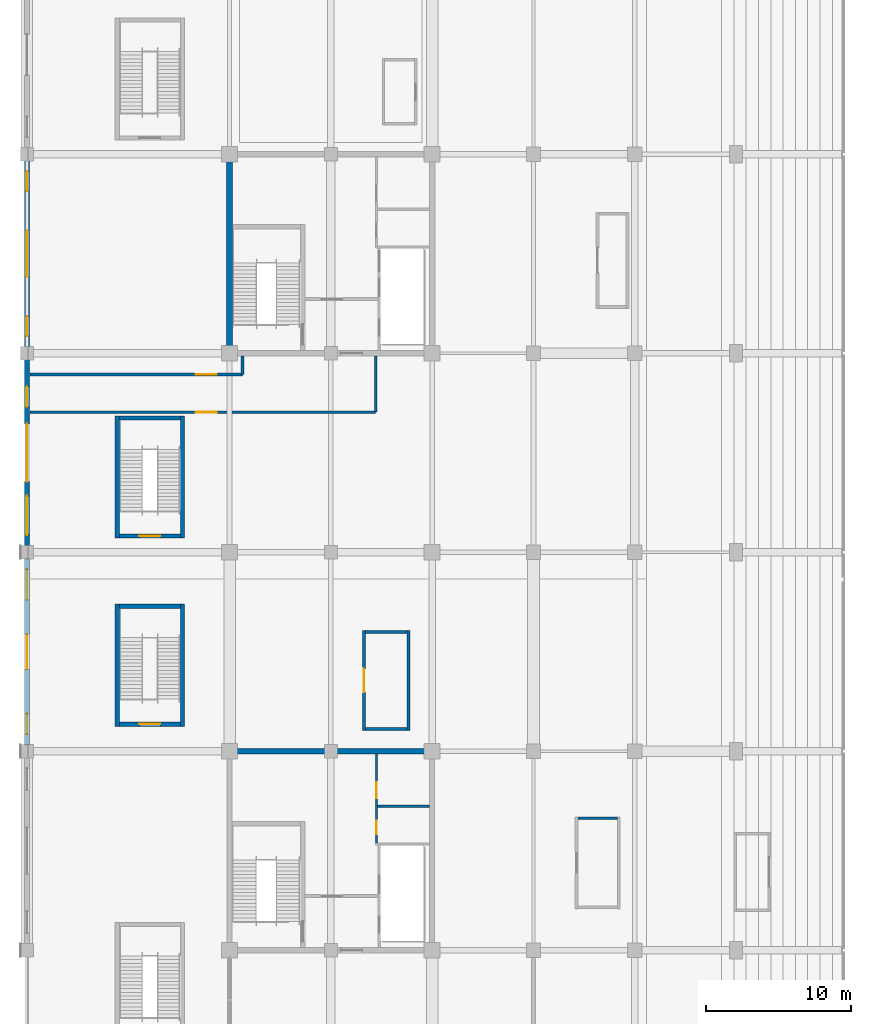
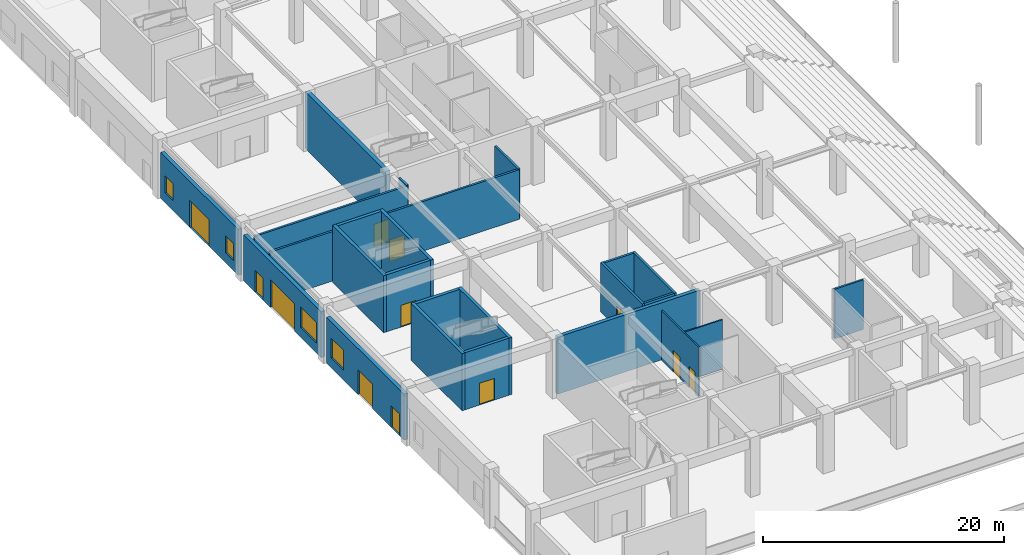
# One storey, part 41 of 73: 24 walls, 12 doors, 4 windows, 16 openings.
"""IFC4 building model written with IfcOpenShell, lengths in metres."""

from ifc_helpers import new_model, si_unit, direction, frame, frame_2d, origin, place, context, subcontext, project, spatial, rectangle, extrude, material, layer, layer_set, type_object, element, fill, save


model = new_model("IFC4")

# Units and contexts
model_context = context("Model", 3, precision=1e-05, world=origin(), true_north=direction((0.0, 1.0)))
body_context = subcontext(model_context, "Body", "Model", "MODEL_VIEW")
ifc_project = project(units=[si_unit("LENGTHUNIT", "METRE"), si_unit("AREAUNIT", "SQUARE_METRE"), si_unit("VOLUMEUNIT", "CUBIC_METRE"), si_unit("PLANEANGLEUNIT", "RADIAN"), si_unit("MASSUNIT", "GRAM", prefix="KILO")], contexts=[model_context])

# Site, building, storey
site_placement = place(None, origin())
site = spatial("IfcSite", under=ifc_project, at=site_placement, CompositionType="ELEMENT")
building_placement = place(site_placement, origin())
building = spatial("IfcBuilding", under=site, at=building_placement, Name="Linyun Crest Stadium", CompositionType="ELEMENT")
storey_placement = place(building_placement, origin())
storey = spatial("IfcBuildingStorey", under=building, at=storey_placement, Name="L01", CompositionType="ELEMENT", Elevation=0.0)

# Walls
ifc_material_1 = material(Name="Concrete C50", Category="concrete")
ifc_layer_1 = layer(ifc_material_1, 0.35009765625)
ifc_layer_set_1 = layer_set([ifc_layer_1], Name="Concrete C50")
wall_type_1 = type_object("IfcWallType", Name="CW01", PredefinedType="SHEAR", material=ifc_layer_set_1)
wall_1_placement = place(storey_placement, frame((-83.824951171875, -25.375, 0.0), z_axis=(0.0, 0.0, 1.0), x_axis=(1.0, 0.0, 0.0)))
element("IfcWall", 1, at=wall_1_placement, inside=storey, type_object=wall_type_1, Name="Core shear wall CW01 CORE-W1 L01.4", PredefinedType="SHEAR", context=body_context, shape_type="SweptSolid", body=[
    extrude(rectangle(XDim=13.64990234375, YDim=0.35009765625, at=frame_2d((6.824951171875, 0.0))), origin(), (0.0, 0.0, 1.0), 5.780029296875),
])
ifc_material_2 = material(Name="Concrete C50", Category="concrete")
ifc_layer_2 = layer(ifc_material_2, 0.39990234375)
ifc_layer_set_2 = layer_set([ifc_layer_2], Name="Concrete C50")
wall_type_2 = type_object("IfcWallType", Name="CW02", PredefinedType="SHEAR", material=ifc_layer_set_2)
wall_2_placement = place(storey_placement, frame((-84.0, 2.324951171875, 0.0), z_axis=(0.0, 0.0, 1.0), x_axis=(0.0, 1.0, 0.0)))
element("IfcWall", 2, at=wall_2_placement, inside=storey, type_object=wall_type_2, Name="Core shear wall CW02 CORE-W2 L01.1", PredefinedType="SHEAR", context=body_context, shape_type="SweptSolid", body=[
    extrude(rectangle(XDim=13.35009765625, YDim=0.39990234375, at=frame_2d((6.675048828125, 0.0))), origin(), (0.0, 0.0, 1.0), 5.780029296875),
])

# Wall, openings, doors, window
ifc_material_3 = material(Name="Precast concrete C40 architectural plinth panel", Category="concrete")
ifc_layer_3 = layer(ifc_material_3, 0.360107421875)
ifc_layer_set_3 = layer_set([ifc_layer_3], Name="Precast concrete C40 architectural plinth panel")
wall_type_3 = type_object("IfcWallType", Name="EW06", PredefinedType="SOLIDWALL", material=ifc_layer_set_3)
wall_3_placement = place(storey_placement, frame((-98.0, -24.93505859375, 0.0), z_axis=(0.0, 0.0, 1.0), x_axis=(0.0, 1.0, 0.0)))
wall_3 = element("IfcWall", 3, at=wall_3_placement, inside=storey, type_object=wall_type_3, Name="Exterior wall EW06 L01 6", PredefinedType="SOLIDWALL", context=body_context, shape_type="SweptSolid", body=[
    extrude(rectangle(XDim=12.8701171875, YDim=0.360107421875, at=frame_2d((6.43505859375, 0.0))), origin(), (0.0, 0.0, 1.0), 4.655029296875),
])
opening_1_placement = place(wall_3_placement, frame((5.235107421875, 0.0, 0.0)))
opening_1 = element("IfcOpeningElement", 4, at=opening_1_placement, cuts=wall_3, Name="Opening G01", PredefinedType="OPENING", context=body_context, shape_type="SweptSolid", body=[
    extrude(rectangle(XDim=2.39990234375, YDim=2.5, at=frame_2d((1.199951171875, 1.25))), frame((0.0, 0.18994140625, 0.0), z_axis=(0.0, -1.0, 0.0), x_axis=(1.0, 0.0, 0.0)), (0.0, 0.0, 1.0), 0.380126953125),
])
opening_2_placement = place(wall_3_placement, frame((0.75, 0.0, 0.0)))
opening_2 = element("IfcOpeningElement", 5, at=opening_2_placement, cuts=wall_3, Name="Opening E-ST14", PredefinedType="OPENING", context=body_context, shape_type="SweptSolid", body=[
    extrude(rectangle(XDim=1.39990234375, YDim=2.199951171875, at=frame_2d((0.699951171875, 1.10009765625))), frame((0.0, 0.18994140625, 0.0), z_axis=(0.0, -1.0, 0.0), x_axis=(1.0, 0.0, 0.0)), (0.0, 0.0, 1.0), 0.380126953125),
])
opening_3_placement = place(wall_3_placement, frame((10.02001953125, 0.0, 1.0)))
opening_3 = element("IfcOpeningElement", 6, at=opening_3_placement, cuts=wall_3, Name="Opening WN03", PredefinedType="OPENING", context=body_context, shape_type="SweptSolid", body=[
    extrude(rectangle(XDim=2.10009765625, YDim=2.0, at=frame_2d((1.050048828125, 1.0))), frame((0.0, 0.18994140625, 0.0), z_axis=(0.0, -1.0, 0.0), x_axis=(1.0, 0.0, 0.0)), (0.0, 0.0, 1.0), 0.380126953125),
])
ifc_material_4 = material(Name="Galvanized fire-rated steel leaf", Category="steel")
ifc_layer_4 = layer(ifc_material_4, 0.054931640625)
ifc_layer_set_4 = layer_set([ifc_layer_4], Name="Galvanized fire-rated steel leaf")
door_type_1 = type_object("IfcDoorType", Name="FD09", OperationType="NOTDEFINED", PredefinedType="DOOR", material=ifc_layer_set_4)
door_1_placement = place(opening_2_placement, origin())
door_1 = element("IfcDoor", 7, at=door_1_placement, inside=storey, type_object=door_type_1, Name="Stair discharge exit E-ST14", OperationType="SINGLE_SWING_RIGHT", OverallHeight=2.199951171875, OverallWidth=1.39990234375, PredefinedType="DOOR", context=body_context, shape_type="SweptSolid", body=[
    extrude(rectangle(XDim=1.39990234375, YDim=2.199951171875, at=frame_2d((0.699951171875, 1.10009765625))), frame((0.0, 0.02490234375, 0.0), z_axis=(0.0, -1.0, 0.0), x_axis=(1.0, 0.0, 0.0)), (0.0, 0.0, 1.0), 0.050048828125),
])
fill(opening_2, door_1)
ifc_material_5 = material(Name="Verdigris painted steel botanical gate", Category="steel")
ifc_layer_5 = layer(ifc_material_5, 0.054931640625)
ifc_layer_set_5 = layer_set([ifc_layer_5], Name="Verdigris painted steel botanical gate")
door_type_2 = type_object("IfcDoorType", Name="GD01", OperationType="NOTDEFINED", PredefinedType="DOOR", material=ifc_layer_set_5)
door_2_placement = place(opening_1_placement, origin())
door_2 = element("IfcDoor", 8, at=door_2_placement, inside=storey, type_object=door_type_2, Name="Pedestrian exit gate G01", OperationType="DOUBLE_DOOR_SINGLE_SWING", OverallHeight=2.5, OverallWidth=2.39990234375, PredefinedType="DOOR", context=body_context, shape_type="SweptSolid", body=[
    extrude(rectangle(XDim=2.39990234375, YDim=2.5, at=frame_2d((1.199951171875, 1.25))), frame((0.0, 0.02490234375, 0.0), z_axis=(0.0, -1.0, 0.0), x_axis=(1.0, 0.0, 0.0)), (0.0, 0.0, 1.0), 0.050048828125),
])
fill(opening_1, door_2)
ifc_material_6 = material(Name="Aluminium frame with double low-E glazing", Category="aluminium")
ifc_layer_6 = layer(ifc_material_6, 0.06005859375)
ifc_layer_set_6 = layer_set([ifc_layer_6], Name="Aluminium frame with double low-E glazing")
window_type_1 = type_object("IfcWindowType", Name="WN03", PartitioningType="SINGLE_PANEL", PredefinedType="WINDOW", material=ifc_layer_set_6)
window_1_placement = place(opening_3_placement, origin())
window_1 = element("IfcWindow", 9, at=window_1_placement, inside=storey, type_object=window_type_1, Name="Window WN03 L01 8", OverallHeight=2.0, OverallWidth=2.10009765625, PartitioningType="SINGLE_PANEL", PredefinedType="WINDOW", context=body_context, shape_type="SweptSolid", body=[
    extrude(rectangle(XDim=2.10009765625, YDim=2.0, at=frame_2d((1.050048828125, 1.0))), frame((0.0, 0.030029296875, 0.0), z_axis=(0.0, -1.0, 0.0), x_axis=(1.0, 0.0, 0.0)), (0.0, 0.0, 1.0), 0.06005859375),
])
fill(opening_3, window_1)

wall_4_placement = place(storey_placement, frame((-98.0, -11.18505859375, 0.0), z_axis=(0.0, 0.0, 1.0), x_axis=(0.0, 1.0, 0.0)))
wall_4 = element("IfcWall", 10, at=wall_4_placement, inside=storey, type_object=wall_type_3, Name="Exterior wall EW06 L01 10", PredefinedType="SOLIDWALL", context=body_context, shape_type="SweptSolid", body=[
    extrude(rectangle(XDim=12.8701171875, YDim=0.360107421875, at=frame_2d((6.43505859375, 0.0))), origin(), (0.0, 0.0, 1.0), 4.655029296875),
])
opening_4_placement = place(wall_4_placement, frame((4.43505859375, 0.0, 0.0)))
opening_4 = element("IfcOpeningElement", 11, at=opening_4_placement, cuts=wall_4, Name="Opening E03", PredefinedType="OPENING", context=body_context, shape_type="SweptSolid", body=[
    extrude(rectangle(XDim=4.0, YDim=2.800048828125, at=frame_2d((2.0, 1.39990234375))), frame((0.0, 0.18994140625, 0.0), z_axis=(0.0, -1.0, 0.0), x_axis=(1.0, 0.0, 0.0)), (0.0, 0.0, 1.0), 0.380126953125),
])
opening_5_placement = place(wall_4_placement, frame((0.75, 0.0, 1.0)))
opening_5 = element("IfcOpeningElement", 12, at=opening_5_placement, cuts=wall_4, Name="Opening WN05", PredefinedType="OPENING", context=body_context, shape_type="SweptSolid", body=[
    extrude(rectangle(XDim=2.699951171875, YDim=2.10009765625, at=frame_2d((1.35009765625, 1.050048828125))), frame((0.0, 0.18994140625, 0.0), z_axis=(0.0, -1.0, 0.0), x_axis=(1.0, 0.0, 0.0)), (0.0, 0.0, 1.0), 0.380126953125),
])
opening_6_placement = place(wall_4_placement, frame((9.60009765625, 0.0, 0.0)))
opening_6 = element("IfcOpeningElement", 13, at=opening_6_placement, cuts=wall_4, Name="Opening E-ST02", PredefinedType="OPENING", context=body_context, shape_type="SweptSolid", body=[
    extrude(rectangle(XDim=1.39990234375, YDim=2.199951171875, at=frame_2d((0.699951171875, 1.10009765625))), frame((0.0, 0.18994140625, 0.0), z_axis=(0.0, -1.0, 0.0), x_axis=(1.0, 0.0, 0.0)), (0.0, 0.0, 1.0), 0.380126953125),
])
ifc_material_7 = material(Name="Verdigris painted steel and laminated glass", Category="steel")
ifc_layer_7 = layer(ifc_material_7, 0.06494140625)
ifc_layer_set_7 = layer_set([ifc_layer_7], Name="Verdigris painted steel and laminated glass")
door_type_3 = type_object("IfcDoorType", Name="ED03", OperationType="NOTDEFINED", PredefinedType="DOOR", material=ifc_layer_set_7)
door_3_placement = place(opening_4_placement, origin())
door_3 = element("IfcDoor", 14, at=door_3_placement, inside=storey, type_object=door_type_3, Name="Main entrance E03", OperationType="DOUBLE_DOOR_SINGLE_SWING", OverallHeight=2.800048828125, OverallWidth=4.0, PredefinedType="DOOR", context=body_context, shape_type="SweptSolid", body=[
    extrude(rectangle(XDim=4.0, YDim=2.800048828125, at=frame_2d((2.0, 1.39990234375))), frame((0.0, 0.02490234375, 0.0), z_axis=(0.0, -1.0, 0.0), x_axis=(1.0, 0.0, 0.0)), (0.0, 0.0, 1.0), 0.050048828125),
])
fill(opening_4, door_3)
door_4_placement = place(opening_6_placement, origin())
door_4 = element("IfcDoor", 15, at=door_4_placement, inside=storey, type_object=door_type_1, Name="Stair discharge exit E-ST02", OperationType="SINGLE_SWING_LEFT", OverallHeight=2.199951171875, OverallWidth=1.39990234375, PredefinedType="DOOR", context=body_context, shape_type="SweptSolid", body=[
    extrude(rectangle(XDim=1.39990234375, YDim=2.199951171875, at=frame_2d((0.699951171875, 1.10009765625))), frame((0.0, 0.02490234375, 0.0), z_axis=(0.0, -1.0, 0.0), x_axis=(1.0, 0.0, 0.0)), (0.0, 0.0, 1.0), 0.050048828125),
])
fill(opening_6, door_4)
ifc_material_8 = material(Name="Verdigris steel Art Nouveau arched window", Category="steel")
ifc_layer_8 = layer(ifc_material_8, 0.06494140625)
ifc_layer_set_8 = layer_set([ifc_layer_8], Name="Verdigris steel Art Nouveau arched window")
window_type_2 = type_object("IfcWindowType", Name="WN05", PartitioningType="SINGLE_PANEL", PredefinedType="WINDOW", material=ifc_layer_set_8)
window_2_placement = place(opening_5_placement, origin())
window_2 = element("IfcWindow", 16, at=window_2_placement, inside=storey, type_object=window_type_2, Name="Window WN05 L01 12", OverallHeight=2.10009765625, OverallWidth=2.699951171875, PartitioningType="SINGLE_PANEL", PredefinedType="WINDOW", context=body_context, shape_type="SweptSolid", body=[
    extrude(rectangle(XDim=2.699951171875, YDim=2.10009765625, at=frame_2d((1.35009765625, 1.050048828125))), frame((0.0, 0.030029296875, 0.0), z_axis=(0.0, -1.0, 0.0), x_axis=(1.0, 0.0, 0.0)), (0.0, 0.0, 1.0), 0.06005859375),
])
fill(opening_5, window_2)

# Wall, openings, door, windows
wall_5_placement = place(storey_placement, frame((-98.0, 2.56494140625, 0.0), z_axis=(0.0, 0.0, 1.0), x_axis=(0.0, 1.0, 0.0)))
wall_5 = element("IfcWall", 17, at=wall_5_placement, inside=storey, type_object=wall_type_3, Name="Exterior wall EW06 L01 14", PredefinedType="SOLIDWALL", context=body_context, shape_type="SweptSolid", body=[
    extrude(rectangle(XDim=12.8701171875, YDim=0.360107421875, at=frame_2d((6.43505859375, 0.0))), origin(), (0.0, 0.0, 1.0), 4.655029296875),
])
opening_7_placement = place(wall_5_placement, frame((4.8349609375, 0.0, 0.0)))
opening_7 = element("IfcOpeningElement", 18, at=opening_7_placement, cuts=wall_5, Name="Opening E05", PredefinedType="OPENING", context=body_context, shape_type="SweptSolid", body=[
    extrude(rectangle(XDim=3.199951171875, YDim=2.699951171875, at=frame_2d((1.60009765625, 1.35009765625))), frame((0.0, 0.18994140625, 0.0), z_axis=(0.0, -1.0, 0.0), x_axis=(1.0, 0.0, 0.0)), (0.0, 0.0, 1.0), 0.380126953125),
])
opening_8_placement = place(wall_5_placement, frame((0.75, 0.0, 1.0)))
opening_8 = element("IfcOpeningElement", 19, at=opening_8_placement, cuts=wall_5, Name="Opening WN13", PredefinedType="OPENING", context=body_context, shape_type="SweptSolid", body=[
    extrude(rectangle(XDim=1.35009765625, YDim=1.75, at=frame_2d((0.675048828125, 0.875))), frame((0.0, 0.18994140625, 0.0), z_axis=(0.0, -1.0, 0.0), x_axis=(1.0, 0.0, 0.0)), (0.0, 0.0, 1.0), 0.380126953125),
])
opening_9_placement = place(wall_5_placement, frame((10.77001953125, 0.0, 1.0)))
opening_9 = element("IfcOpeningElement", 20, at=opening_9_placement, cuts=wall_5, Name="Opening WN13", PredefinedType="OPENING", context=body_context, shape_type="SweptSolid", body=[
    extrude(rectangle(XDim=1.35009765625, YDim=1.75, at=frame_2d((0.675048828125, 0.875))), frame((0.0, 0.18994140625, 0.0), z_axis=(0.0, -1.0, 0.0), x_axis=(1.0, 0.0, 0.0)), (0.0, 0.0, 1.0), 0.380126953125),
])
ifc_material_9 = material(Name="Verdigris painted steel and laminated glass", Category="steel")
ifc_layer_9 = layer(ifc_material_9, 0.06005859375)
ifc_layer_set_9 = layer_set([ifc_layer_9], Name="Verdigris painted steel and laminated glass")
door_type_4 = type_object("IfcDoorType", Name="ED01", OperationType="NOTDEFINED", PredefinedType="DOOR", material=ifc_layer_set_9)
door_5_placement = place(opening_7_placement, origin())
door_5 = element("IfcDoor", 21, at=door_5_placement, inside=storey, type_object=door_type_4, Name="Main entrance E05", OperationType="DOUBLE_DOOR_SINGLE_SWING", OverallHeight=2.699951171875, OverallWidth=3.199951171875, PredefinedType="DOOR", context=body_context, shape_type="SweptSolid", body=[
    extrude(rectangle(XDim=3.199951171875, YDim=2.699951171875, at=frame_2d((1.60009765625, 1.35009765625))), frame((0.0, 0.02490234375, 0.0), z_axis=(0.0, -1.0, 0.0), x_axis=(1.0, 0.0, 0.0)), (0.0, 0.0, 1.0), 0.050048828125),
])
fill(opening_7, door_5)
ifc_material_10 = material(Name="Gallery side-light window")
ifc_layer_10 = layer(ifc_material_10, 0.06005859375)
ifc_layer_set_10 = layer_set([ifc_layer_10], Name="Gallery side-light window")
window_type_3 = type_object("IfcWindowType", Name="WN13", PartitioningType="SINGLE_PANEL", PredefinedType="WINDOW", material=ifc_layer_set_10)
window_3_placement = place(opening_8_placement, origin())
window_3 = element("IfcWindow", 22, at=window_3_placement, inside=storey, type_object=window_type_3, Name="Window WN13 L01 16", OverallHeight=1.75, OverallWidth=1.35009765625, PartitioningType="SINGLE_PANEL", PredefinedType="WINDOW", context=body_context, shape_type="SweptSolid", body=[
    extrude(rectangle(XDim=1.35009765625, YDim=1.75, at=frame_2d((0.675048828125, 0.875))), frame((0.0, 0.030029296875, 0.0), z_axis=(0.0, -1.0, 0.0), x_axis=(1.0, 0.0, 0.0)), (0.0, 0.0, 1.0), 0.06005859375),
])
fill(opening_8, window_3)
window_4_placement = place(opening_9_placement, origin())
window_4 = element("IfcWindow", 23, at=window_4_placement, inside=storey, type_object=window_type_3, Name="Window WN13 L01 17", OverallHeight=1.75, OverallWidth=1.35009765625, PartitioningType="SINGLE_PANEL", PredefinedType="WINDOW", context=body_context, shape_type="SweptSolid", body=[
    extrude(rectangle(XDim=1.35009765625, YDim=1.75, at=frame_2d((0.675048828125, 0.875))), frame((0.0, 0.030029296875, 0.0), z_axis=(0.0, -1.0, 0.0), x_axis=(1.0, 0.0, 0.0)), (0.0, 0.0, 1.0), 0.06005859375),
])
fill(opening_9, window_4)

# Wall, opening, door
ifc_material_11 = material(Name="Autoclaved aerated concrete block with fireboard", Category="concrete")
ifc_layer_11 = layer(ifc_material_11, 0.199951171875)
ifc_layer_set_11 = layer_set([ifc_layer_11], Name="Autoclaved aerated concrete block with fireboard")
wall_type_4 = type_object("IfcWallType", Name="PW11", PredefinedType="PARTITIONING", material=ifc_layer_set_11)
wall_6_placement = place(storey_placement, frame((-73.89990234375, -1.949951171875, 0.0), z_axis=(0.0, 0.0, 1.0), x_axis=(-1.0, 0.0, 0.0)))
wall_6 = element("IfcWall", 24, at=wall_6_placement, inside=storey, type_object=wall_type_4, Name="Partition PW11 L01 273", PredefinedType="PARTITIONING", context=body_context, shape_type="SweptSolid", body=[
    extrude(rectangle(XDim=23.880126953125, YDim=0.199951171875, at=frame_2d((11.93994140625, 0.0))), origin(), (0.0, 0.0, 1.0), 5.02001953125),
])
opening_10_placement = place(wall_6_placement, frame((10.97509765625, 0.0, 0.0)))
opening_10 = element("IfcOpeningElement", 25, at=opening_10_placement, cuts=wall_6, Name="Opening D-L01-536", PredefinedType="OPENING", context=body_context, shape_type="SweptSolid", body=[
    extrude(rectangle(XDim=1.449951171875, YDim=2.199951171875, at=frame_2d((0.72509765625, 1.10009765625))), frame((0.0, 0.10986328125, 0.0), z_axis=(0.0, -1.0, 0.0), x_axis=(1.0, 0.0, 0.0)), (0.0, 0.0, 1.0), 0.219970703125),
])
ifc_material_12 = material(Name="Galvanized steel Class A fire door", Category="steel")
ifc_layer_12 = layer(ifc_material_12, 0.054931640625)
ifc_layer_set_12 = layer_set([ifc_layer_12], Name="Galvanized steel Class A fire door")
door_type_5 = type_object("IfcDoorType", Name="FD02", OperationType="NOTDEFINED", PredefinedType="DOOR", material=ifc_layer_set_12)
door_6_placement = place(opening_10_placement, origin())
door_6 = element("IfcDoor", 26, at=door_6_placement, inside=storey, type_object=door_type_5, Name="Door D-L01-536", OperationType="SINGLE_SWING_RIGHT", OverallHeight=2.199951171875, OverallWidth=1.449951171875, PredefinedType="DOOR", context=body_context, shape_type="SweptSolid", body=[
    extrude(rectangle(XDim=1.449951171875, YDim=2.199951171875, at=frame_2d((0.72509765625, 1.10009765625))), frame((0.0, 0.02490234375, 0.0), z_axis=(0.0, -1.0, 0.0), x_axis=(1.0, 0.0, 0.0)), (0.0, 0.0, 1.0), 0.050048828125),
])
fill(opening_10, door_6)

wall_7_placement = place(storey_placement, frame((-97.780029296875, 0.64990234375, 0.0), z_axis=(0.0, 0.0, 1.0), x_axis=(1.0, 0.0, 0.0)))
wall_7 = element("IfcWall", 27, at=wall_7_placement, inside=storey, type_object=wall_type_4, Name="Partition PW11 L01 274", PredefinedType="PARTITIONING", context=body_context, shape_type="SweptSolid", body=[
    extrude(rectangle(XDim=14.679931640625, YDim=0.199951171875, at=frame_2d((7.33984375, 0.0))), origin(), (0.0, 0.0, 1.0), 5.02001953125),
])
opening_11_placement = place(wall_7_placement, frame((11.455078125, 0.0, 0.0)))
opening_11 = element("IfcOpeningElement", 28, at=opening_11_placement, cuts=wall_7, Name="Opening D-L01-537", PredefinedType="OPENING", context=body_context, shape_type="SweptSolid", body=[
    extrude(rectangle(XDim=1.449951171875, YDim=2.199951171875, at=frame_2d((0.72509765625, 1.10009765625))), frame((0.0, 0.10986328125, 0.0), z_axis=(0.0, -1.0, 0.0), x_axis=(1.0, 0.0, 0.0)), (0.0, 0.0, 1.0), 0.219970703125),
])
door_7_placement = place(opening_11_placement, origin())
door_7 = element("IfcDoor", 29, at=door_7_placement, inside=storey, type_object=door_type_5, Name="Door D-L01-537", OperationType="SINGLE_SWING_LEFT", OverallHeight=2.199951171875, OverallWidth=1.449951171875, PredefinedType="DOOR", context=body_context, shape_type="SweptSolid", body=[
    extrude(rectangle(XDim=1.449951171875, YDim=2.199951171875, at=frame_2d((0.72509765625, 1.10009765625))), frame((0.0, 0.02490234375, 0.0), z_axis=(0.0, -1.0, 0.0), x_axis=(1.0, 0.0, 0.0)), (0.0, 0.0, 1.0), 0.050048828125),
])
fill(opening_11, door_7)

# Walls
wall_8_placement = place(storey_placement, frame((-83.10009765625, 0.64990234375, 0.0), z_axis=(0.0, 0.0, 1.0), x_axis=(0.0, 1.0, 0.0)))
element("IfcWall", 30, at=wall_8_placement, inside=storey, type_object=wall_type_4, Name="Partition PW11 L01 275", PredefinedType="PARTITIONING", context=body_context, shape_type="SweptSolid", body=[
    extrude(rectangle(XDim=1.27001953125, YDim=0.199951171875, at=frame_2d((0.635009765625, 0.0))), origin(), (0.0, 0.0, 1.0), 5.02001953125),
])
wall_9_placement = place(storey_placement, frame((-73.89990234375, -1.949951171875, 0.0), z_axis=(0.0, 0.0, 1.0), x_axis=(0.0, 1.0, 0.0)))
element("IfcWall", 31, at=wall_9_placement, inside=storey, type_object=wall_type_4, Name="Partition PW11 L01 276", PredefinedType="PARTITIONING", context=body_context, shape_type="SweptSolid", body=[
    extrude(rectangle(XDim=3.869873046875, YDim=0.199951171875, at=frame_2d((1.93505859375, 0.0))), origin(), (0.0, 0.0, 1.0), 5.02001953125),
])

# Wall, openings, doors
ifc_material_13 = material(Name="Moisture-resistant ceramic-tiled wet-room wall")
ifc_layer_13 = layer(ifc_material_13, 0.139892578125)
ifc_layer_set_13 = layer_set([ifc_layer_13], Name="Moisture-resistant ceramic-tiled wet-room wall")
wall_type_5 = type_object("IfcWallType", Name="PW15", PredefinedType="PARTITIONING", material=ifc_layer_set_13)
wall_10_placement = place(storey_placement, frame((-73.85009765625, -31.705078125, 0.0), z_axis=(0.0, 0.0, 1.0), x_axis=(0.0, 1.0, 0.0)))
wall_10 = element("IfcWall", 32, at=wall_10_placement, inside=storey, type_object=wall_type_5, Name="Partition PW15 L01 6", PredefinedType="PARTITIONING", context=body_context, shape_type="SweptSolid", body=[
    extrude(rectangle(XDim=6.155029296875, YDim=0.139892578125, at=frame_2d((3.07763671875, 0.0))), origin(), (0.0, 0.0, 1.0), 5.02001953125),
])
opening_12_placement = place(wall_10_placement, frame((0.580078125, 0.0, 0.0)))
opening_12 = element("IfcOpeningElement", 33, at=opening_12_placement, cuts=wall_10, Name="Opening D-L01-013", PredefinedType="OPENING", context=body_context, shape_type="SweptSolid", body=[
    extrude(rectangle(XDim=0.949951171875, YDim=2.14990234375, at=frame_2d((0.47509765625, 1.074951171875))), frame((0.0, 0.079833984375, 0.0), z_axis=(0.0, -1.0, 0.0), x_axis=(1.0, 0.0, 0.0)), (0.0, 0.0, 1.0), 0.159912109375),
])
opening_13_placement = place(wall_10_placement, frame((3.080078125, 0.0, 0.0)))
opening_13 = element("IfcOpeningElement", 34, at=opening_13_placement, cuts=wall_10, Name="Opening D-L01-014", PredefinedType="OPENING", context=body_context, shape_type="SweptSolid", body=[
    extrude(rectangle(XDim=1.10009765625, YDim=2.14990234375, at=frame_2d((0.550048828125, 1.074951171875))), frame((0.0, 0.079833984375, 0.0), z_axis=(0.0, -1.0, 0.0), x_axis=(1.0, 0.0, 0.0)), (0.0, 0.0, 1.0), 0.159912109375),
])
ifc_material_14 = material(Name="Moisture-resistant laminate leaf")
ifc_layer_14 = layer(ifc_material_14, 0.044921875)
ifc_layer_set_14 = layer_set([ifc_layer_14], Name="Moisture-resistant laminate leaf")
door_type_6 = type_object("IfcDoorType", Name="ID02", OperationType="NOTDEFINED", PredefinedType="DOOR", material=ifc_layer_set_14)
door_8_placement = place(opening_12_placement, origin())
door_8 = element("IfcDoor", 35, at=door_8_placement, inside=storey, type_object=door_type_6, Name="Door D-L01-013", OperationType="SINGLE_SWING_LEFT", OverallHeight=2.14990234375, OverallWidth=0.949951171875, PredefinedType="DOOR", context=body_context, shape_type="SweptSolid", body=[
    extrude(rectangle(XDim=0.949951171875, YDim=2.14990234375, at=frame_2d((0.47509765625, 1.074951171875))), frame((0.0, 0.02490234375, 0.0), z_axis=(0.0, -1.0, 0.0), x_axis=(1.0, 0.0, 0.0)), (0.0, 0.0, 1.0), 0.050048828125),
])
fill(opening_12, door_8)
ifc_material_15 = material(Name="Moisture-resistant laminate leaf")
ifc_layer_15 = layer(ifc_material_15, 0.044921875)
ifc_layer_set_15 = layer_set([ifc_layer_15], Name="Moisture-resistant laminate leaf")
door_type_7 = type_object("IfcDoorType", Name="ID03", OperationType="NOTDEFINED", PredefinedType="DOOR", material=ifc_layer_set_15)
door_9_placement = place(opening_13_placement, origin())
door_9 = element("IfcDoor", 36, at=door_9_placement, inside=storey, type_object=door_type_7, Name="Door D-L01-014", OperationType="SINGLE_SWING_RIGHT", OverallHeight=2.14990234375, OverallWidth=1.10009765625, PredefinedType="DOOR", context=body_context, shape_type="SweptSolid", body=[
    extrude(rectangle(XDim=1.10009765625, YDim=2.14990234375, at=frame_2d((0.550048828125, 1.074951171875))), frame((0.0, 0.02490234375, 0.0), z_axis=(0.0, -1.0, 0.0), x_axis=(1.0, 0.0, 0.0)), (0.0, 0.0, 1.0), 0.050048828125),
])
fill(opening_13, door_9)

# Walls
wall_11_placement = place(storey_placement, frame((-73.780029296875, -29.175048828125, 0.0), z_axis=(0.0, 0.0, 1.0), x_axis=(1.0, 0.0, 0.0)))
element("IfcWall", 37, at=wall_11_placement, inside=storey, type_object=wall_type_5, Name="Enclosure partition PW15 L01 4", PredefinedType="PARTITIONING", context=body_context, shape_type="SweptSolid", body=[
    extrude(rectangle(XDim=3.60498046875, YDim=0.139892578125, at=frame_2d((1.802490234375, 0.0))), origin(), (0.0, 0.0, 1.0), 5.02001953125),
])
ifc_material_16 = material(Name="Concourse concession fire-rated masonry wall", Category="masonry")
ifc_layer_16 = layer(ifc_material_16, 0.175048828125)
ifc_layer_set_16 = layer_set([ifc_layer_16], Name="Concourse concession fire-rated masonry wall")
wall_type_6 = type_object("IfcWallType", Name="PW24", PredefinedType="PARTITIONING", material=ifc_layer_set_16)
wall_12_placement = place(storey_placement, frame((-59.93994140625, -30.006103515625, 0.0), z_axis=(0.0, 0.0, 1.0), x_axis=(1.0, 0.0, 0.0)))
element("IfcWall", 38, at=wall_12_placement, inside=storey, type_object=wall_type_6, Name="Enclosure partition PW24 L01 201", PredefinedType="PARTITIONING", context=body_context, shape_type="SweptSolid", body=[
    extrude(rectangle(XDim=2.743896484375, YDim=0.175048828125, at=frame_2d((1.3720703125, 0.0))), origin(), (0.0, 0.0, 1.0), 5.02001953125),
])

# Wall, opening, door
ifc_material_17 = material(Name="Kitchen hood and service riser enclosure wall")
ifc_layer_17 = layer(ifc_material_17, 0.2099609375)
ifc_layer_set_17 = layer_set([ifc_layer_17], Name="Kitchen hood and service riser enclosure wall")
wall_type_7 = type_object("IfcWallType", Name="PW26", PredefinedType="PARTITIONING", material=ifc_layer_set_17)
wall_13_placement = place(storey_placement, frame((-74.702880859375, -23.950927734375, 0.0), z_axis=(0.0, 0.0, 1.0), x_axis=(0.0, 1.0, 0.0)))
wall_13 = element("IfcWall", 39, at=wall_13_placement, inside=storey, type_object=wall_type_7, Name="Partition PW26 L01 163", PredefinedType="PARTITIONING", context=body_context, shape_type="SweptSolid", body=[
    extrude(rectangle(XDim=6.919921875, YDim=0.2099609375, at=frame_2d((3.4599609375, 0.0))), origin(), (0.0, 0.0, 1.0), 5.02001953125),
])
opening_14_placement = place(wall_13_placement, frame((2.659912109375, 0.0, 0.0)))
opening_14 = element("IfcOpeningElement", 40, at=opening_14_placement, cuts=wall_13, Name="Opening D-L01-426", PredefinedType="OPENING", context=body_context, shape_type="SweptSolid", body=[
    extrude(rectangle(XDim=1.60009765625, YDim=2.25, at=frame_2d((0.800048828125, 1.125))), frame((0.0, 0.114990234375, 0.0), z_axis=(0.0, -1.0, 0.0), x_axis=(1.0, 0.0, 0.0)), (0.0, 0.0, 1.0), 0.22998046875),
])
ifc_material_18 = material(Name="Stainless-clad fire door")
ifc_layer_18 = layer(ifc_material_18, 0.054931640625)
ifc_layer_set_18 = layer_set([ifc_layer_18], Name="Stainless-clad fire door")
door_type_8 = type_object("IfcDoorType", Name="FD05", OperationType="NOTDEFINED", PredefinedType="DOOR", material=ifc_layer_set_18)
door_10_placement = place(opening_14_placement, origin())
door_10 = element("IfcDoor", 41, at=door_10_placement, inside=storey, type_object=door_type_8, Name="Door D-L01-426", OperationType="SINGLE_SWING_RIGHT", OverallHeight=2.25, OverallWidth=1.60009765625, PredefinedType="DOOR", context=body_context, shape_type="SweptSolid", body=[
    extrude(rectangle(XDim=1.60009765625, YDim=2.25, at=frame_2d((0.800048828125, 1.125))), frame((0.0, 0.02490234375, 0.0), z_axis=(0.0, -1.0, 0.0), x_axis=(1.0, 0.0, 0.0)), (0.0, 0.0, 1.0), 0.050048828125),
])
fill(opening_14, door_10)

# Walls
wall_14_placement = place(storey_placement, frame((-71.64306640625, -23.950927734375, 0.0), z_axis=(0.0, 0.0, 1.0), x_axis=(0.0, 1.0, 0.0)))
element("IfcWall", 42, at=wall_14_placement, inside=storey, type_object=wall_type_7, Name="Enclosure partition PW26 L01 205", PredefinedType="PARTITIONING", context=body_context, shape_type="SweptSolid", body=[
    extrude(rectangle(XDim=6.919921875, YDim=0.2099609375, at=frame_2d((3.4599609375, 0.0))), origin(), (0.0, 0.0, 1.0), 5.02001953125),
])
for number, where, z_axis, x_axis, name in (
    (43, (-74.597900390625, -23.845947265625, 0.0), (0.0, 0.0, 1.0), (1.0, 0.0, 0.0), "Enclosure partition PW26 L01 206"),
    (44, (-74.597900390625, -17.135986328125, 0.0), (0.0, 0.0, 1.0), (1.0, 0.0, 0.0), "Enclosure partition PW26 L01 207"),
):
    element("IfcWall", number, at=place(storey_placement, frame(where, z_axis=z_axis, x_axis=x_axis)), inside=storey, type_object=wall_type_7, Name=name, PredefinedType="PARTITIONING", context=body_context, shape_type="SweptSolid", body=[
        extrude(rectangle(XDim=2.849853515625, YDim=0.2099609375, at=frame_2d((1.4248046875, 0.0))), origin(), (0.0, 0.0, 1.0), 5.02001953125),
    ])

# Wall, opening, door
ifc_material_19 = material(Name="Concrete C50", Category="concrete")
ifc_layer_19 = layer(ifc_material_19, 0.300048828125)
ifc_layer_set_19 = layer_set([ifc_layer_19], Name="Concrete C50")
wall_type_8 = type_object("IfcWallType", Name="SW01", PredefinedType="SHEAR", material=ifc_layer_set_19)
wall_15_placement = place(storey_placement, frame((-91.60009765625, -23.5, 0.0), z_axis=(0.0, 0.0, 1.0), x_axis=(1.0, 0.0, 0.0)))
wall_15 = element("IfcWall", 45, at=wall_15_placement, inside=storey, type_object=wall_type_8, Name="Stair shaft wall SW01 STR-14 L01 S", PredefinedType="SHEAR", context=body_context, shape_type="SweptSolid", body=[
    extrude(rectangle(XDim=4.2001953125, YDim=0.300048828125, at=frame_2d((2.10009765625, 0.0))), origin(), (0.0, 0.0, 1.0), 5.780029296875),
])
opening_15_placement = place(wall_15_placement, frame((1.375, 0.0, 0.0)))
opening_15 = element("IfcOpeningElement", 46, at=opening_15_placement, cuts=wall_15, Name="Opening D-L01-546", PredefinedType="OPENING", context=body_context, shape_type="SweptSolid", body=[
    extrude(rectangle(XDim=1.449951171875, YDim=2.199951171875, at=frame_2d((0.72509765625, 1.10009765625))), frame((0.0, 0.159912109375, 0.0), z_axis=(0.0, -1.0, 0.0), x_axis=(1.0, 0.0, 0.0)), (0.0, 0.0, 1.0), 0.320068359375),
])
door_11_placement = place(opening_15_placement, origin())
door_11 = element("IfcDoor", 47, at=door_11_placement, inside=storey, type_object=door_type_5, Name="Door D-L01-546", OperationType="SINGLE_SWING_RIGHT", OverallHeight=2.199951171875, OverallWidth=1.449951171875, PredefinedType="DOOR", context=body_context, shape_type="SweptSolid", body=[
    extrude(rectangle(XDim=1.449951171875, YDim=2.199951171875, at=frame_2d((0.72509765625, 1.10009765625))), frame((0.0, 0.02490234375, 0.0), z_axis=(0.0, -1.0, 0.0), x_axis=(1.0, 0.0, 0.0)), (0.0, 0.0, 1.0), 0.050048828125),
])
fill(opening_15, door_11)

# Walls
wall_16_placement = place(storey_placement, frame((-91.60009765625, -15.35009765625, 0.0), z_axis=(0.0, 0.0, 1.0), x_axis=(1.0, 0.0, 0.0)))
element("IfcWall", 48, at=wall_16_placement, inside=storey, type_object=wall_type_8, Name="Stair shaft wall SW01 STR-14 L01 N", PredefinedType="SHEAR", context=body_context, shape_type="SweptSolid", body=[
    extrude(rectangle(XDim=4.2001953125, YDim=0.300048828125, at=frame_2d((2.10009765625, 0.0))), origin(), (0.0, 0.0, 1.0), 5.780029296875),
])
for number, where, z_axis, x_axis, name in (
    (49, (-91.75, -23.64990234375, 0.0), (0.0, 0.0, 1.0), (0.0, 1.0, 0.0), "Stair shaft wall SW01 STR-14 L01 W"),
    (50, (-87.25, -23.64990234375, 0.0), (0.0, 0.0, 1.0), (0.0, 1.0, 0.0), "Stair shaft wall SW01 STR-14 L01 E"),
):
    element("IfcWall", number, at=place(storey_placement, frame(where, z_axis=z_axis, x_axis=x_axis)), inside=storey, type_object=wall_type_8, Name=name, PredefinedType="SHEAR", context=body_context, shape_type="SweptSolid", body=[
        extrude(rectangle(XDim=8.449951171875, YDim=0.300048828125, at=frame_2d((4.22509765625, 0.0))), origin(), (0.0, 0.0, 1.0), 5.780029296875),
    ])

# Wall, opening, door
wall_17_placement = place(storey_placement, frame((-91.60009765625, -10.5, 0.0), z_axis=(0.0, 0.0, 1.0), x_axis=(1.0, 0.0, 0.0)))
wall_17 = element("IfcWall", 51, at=wall_17_placement, inside=storey, type_object=wall_type_8, Name="Stair shaft wall SW01 STR-15 L01 S", PredefinedType="SHEAR", context=body_context, shape_type="SweptSolid", body=[
    extrude(rectangle(XDim=4.2001953125, YDim=0.300048828125, at=frame_2d((2.10009765625, 0.0))), origin(), (0.0, 0.0, 1.0), 5.780029296875),
])
opening_16_placement = place(wall_17_placement, frame((1.375, 0.0, 0.0)))
opening_16 = element("IfcOpeningElement", 52, at=opening_16_placement, cuts=wall_17, Name="Opening D-L01-552", PredefinedType="OPENING", context=body_context, shape_type="SweptSolid", body=[
    extrude(rectangle(XDim=1.449951171875, YDim=2.199951171875, at=frame_2d((0.72509765625, 1.10009765625))), frame((0.0, 0.159912109375, 0.0), z_axis=(0.0, -1.0, 0.0), x_axis=(1.0, 0.0, 0.0)), (0.0, 0.0, 1.0), 0.320068359375),
])
door_12_placement = place(opening_16_placement, origin())
door_12 = element("IfcDoor", 53, at=door_12_placement, inside=storey, type_object=door_type_5, Name="Door D-L01-552", OperationType="SINGLE_SWING_RIGHT", OverallHeight=2.199951171875, OverallWidth=1.449951171875, PredefinedType="DOOR", context=body_context, shape_type="SweptSolid", body=[
    extrude(rectangle(XDim=1.449951171875, YDim=2.199951171875, at=frame_2d((0.72509765625, 1.10009765625))), frame((0.0, 0.02490234375, 0.0), z_axis=(0.0, -1.0, 0.0), x_axis=(1.0, 0.0, 0.0)), (0.0, 0.0, 1.0), 0.050048828125),
])
fill(opening_16, door_12)

# Walls
wall_18_placement = place(storey_placement, frame((-91.60009765625, -2.35009765625, 0.0), z_axis=(0.0, 0.0, 1.0), x_axis=(1.0, 0.0, 0.0)))
element("IfcWall", 54, at=wall_18_placement, inside=storey, type_object=wall_type_8, Name="Stair shaft wall SW01 STR-15 L01 N", PredefinedType="SHEAR", context=body_context, shape_type="SweptSolid", body=[
    extrude(rectangle(XDim=4.2001953125, YDim=0.300048828125, at=frame_2d((2.10009765625, 0.0))), origin(), (0.0, 0.0, 1.0), 5.780029296875),
])
for number, where, z_axis, x_axis, name in (
    (55, (-91.75, -10.64990234375, 0.0), (0.0, 0.0, 1.0), (0.0, 1.0, 0.0), "Stair shaft wall SW01 STR-15 L01 W"),
    (56, (-87.25, -10.64990234375, 0.0), (0.0, 0.0, 1.0), (0.0, 1.0, 0.0), "Stair shaft wall SW01 STR-15 L01 E"),
):
    element("IfcWall", number, at=place(storey_placement, frame(where, z_axis=z_axis, x_axis=x_axis)), inside=storey, type_object=wall_type_8, Name=name, PredefinedType="SHEAR", context=body_context, shape_type="SweptSolid", body=[
        extrude(rectangle(XDim=8.449951171875, YDim=0.300048828125, at=frame_2d((4.22509765625, 0.0))), origin(), (0.0, 0.0, 1.0), 5.780029296875),
    ])

save(model, "model.ifc")
